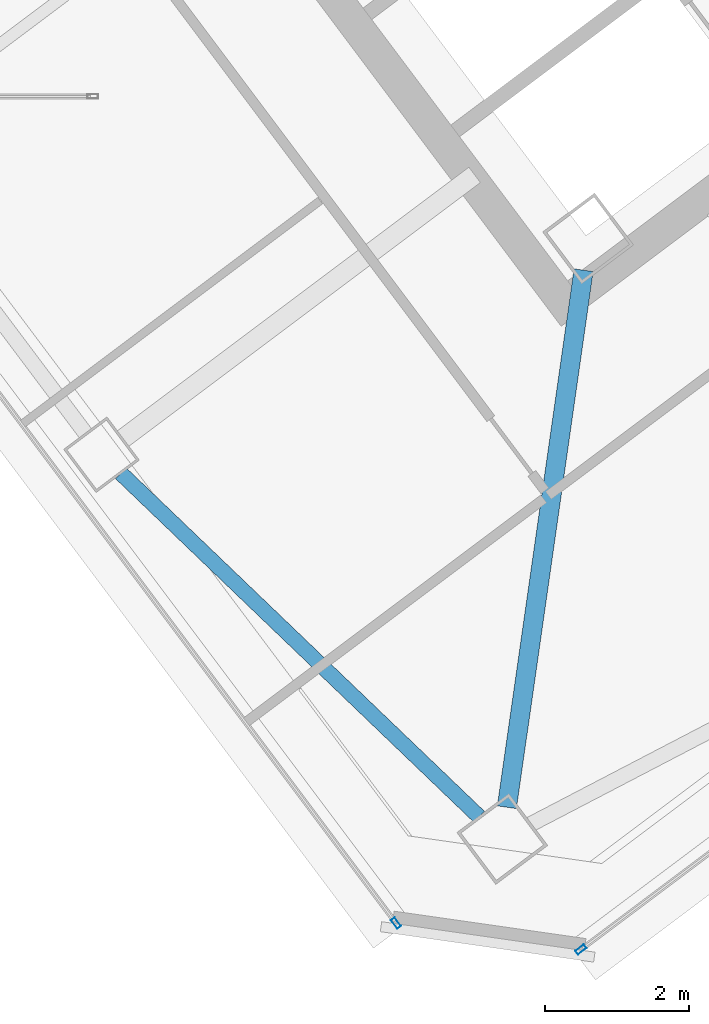
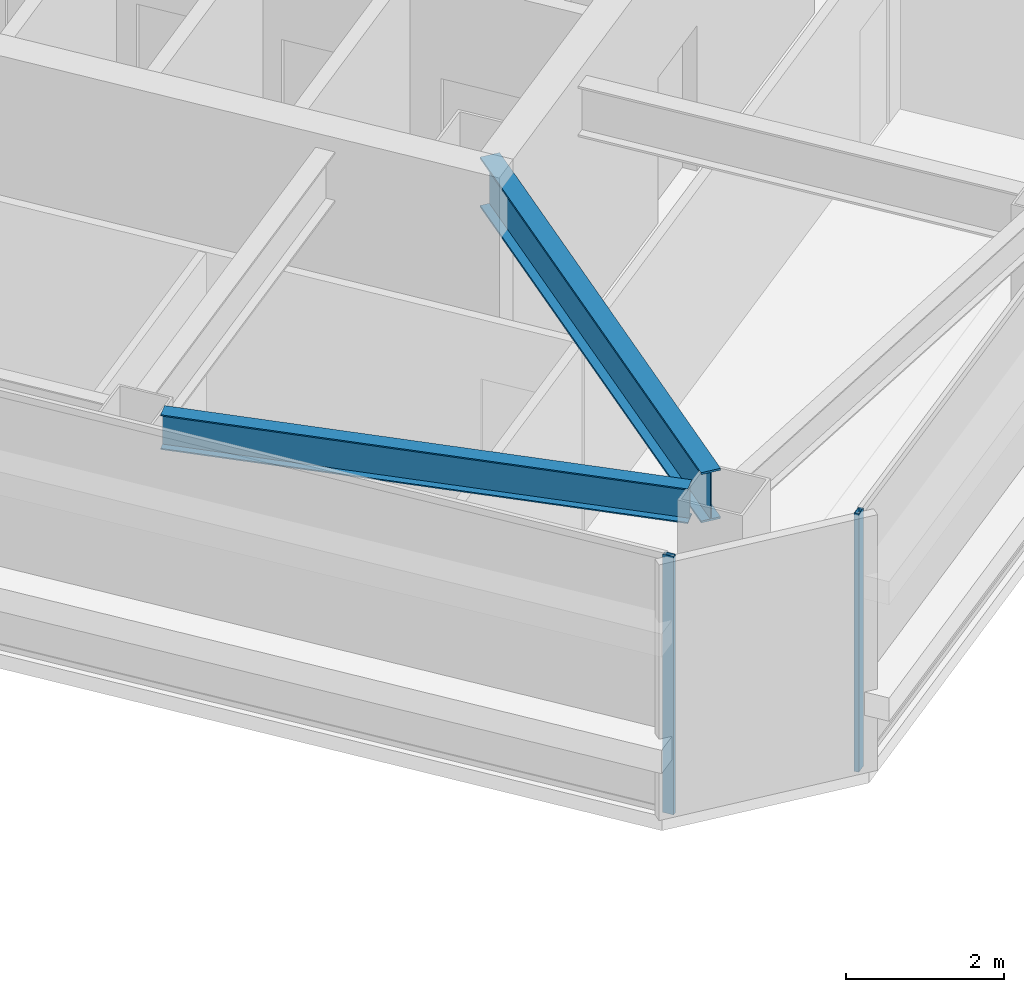
# One storey, part 30 of 53: 2 beams, 2 members, 2 elements without a shape of their own.
"""IFC4 building model written with IfcOpenShell, lengths in metres."""

from ifc_helpers import new_model, si_unit, direction, frame, origin, origin_2d, place, context, subcontext, project, spatial, hollow_rectangle, i_section, extrude, material, material_profile, profile_set, type_object, element, aggregate, save


model = new_model("IFC4")

# Units and contexts
model_context = context("Model", 3, precision=1e-05, world=origin(), true_north=direction((0.0, 1.0)))
body_context = subcontext(model_context, "Body", "Model", "MODEL_VIEW")
ifc_project = project(units=[si_unit("LENGTHUNIT", "METRE"), si_unit("AREAUNIT", "SQUARE_METRE"), si_unit("VOLUMEUNIT", "CUBIC_METRE"), si_unit("PLANEANGLEUNIT", "RADIAN"), si_unit("MASSUNIT", "GRAM", prefix="KILO")], contexts=[model_context])

# Site, building, storey
site_placement = place(None, origin())
site = spatial("IfcSite", under=ifc_project, at=site_placement, CompositionType="ELEMENT")
building_placement = place(site_placement, origin())
building = spatial("IfcBuilding", under=site, at=building_placement, Name="Tashvorn Skyway Center", CompositionType="ELEMENT")
storey_placement = place(building_placement, frame((0.0, 0.0, 255.39990234375)))
storey = spatial("IfcBuildingStorey", under=building, at=storey_placement, Name="L69", CompositionType="ELEMENT", Elevation=255.39990234375)

# Beams
ifc_material_1 = material(Name="Steel ASTM A992 Grade 50", Category="steel")
ifc_material_profile_1 = material_profile(ifc_material_1, i_section(OverallWidth=0.26708984375, OverallDepth=0.779052734375, WebThickness=0.0166015625, FlangeThickness=0.030029296875, at=origin_2d()), Name="W30X148")
ifc_profile_set_1 = profile_set([ifc_material_profile_1], Name="Steel ASTM A992 Grade 50")
beam_type_1 = type_object("IfcBeamType", Name="BM-BEAM-W30X148", PredefinedType="BEAM", material=ifc_profile_set_1)
beam_1_placement = place(storey_placement, frame((111.462890625, 14.240478515625, 3.390625), z_axis=(0.141430441004, 0.989948195795, 0.0), x_axis=(-0.989948195795, 0.141430441004, 0.0)))
element("IfcBeam", 1, at=beam_1_placement, inside=storey, type_object=beam_type_1, Name="Tower 2 L69 Primary Floor Girder MC-SW", PredefinedType="BEAM", context=body_context, shape_type="SweptSolid", body=[
    extrude(i_section(OverallWidth=0.26708984375, OverallDepth=0.779052734375, WebThickness=0.0166015625, FlangeThickness=0.030029296875, at=origin_2d()), origin(), (0.0, 0.0, 1.0), 7.524658203125),
])
ifc_material_profile_2 = material_profile(ifc_material_1, i_section(OverallWidth=0.2109375, OverallDepth=0.5390625, WebThickness=0.01171875, FlangeThickness=0.018798828125, at=origin_2d()), Name="W21X73")
ifc_profile_set_2 = profile_set([ifc_material_profile_2], Name="Steel ASTM A992 Grade 50")
beam_type_2 = type_object("IfcBeamType", Name="BM-SPANDREL-W21X73", PredefinedType="SPANDREL", material=ifc_profile_set_2)
beam_2_placement = place(storey_placement, frame((106.107177734375, 18.8740234375, 3.510498046875), z_axis=(0.721873091786, -0.692025461493, 0.0), x_axis=(0.692025461493, 0.721873091786, 0.0)))
element("IfcBeam", 2, at=beam_2_placement, inside=storey, type_object=beam_type_2, Name="Tower 2 L69 Spandrel Beam 12", PredefinedType="SPANDREL", context=body_context, shape_type="SweptSolid", body=[
    extrude(i_section(OverallWidth=0.2109375, OverallDepth=0.5390625, WebThickness=0.01171875, FlangeThickness=0.018798828125, at=origin_2d()), origin(), (0.0, 0.0, 1.0), 6.88720703125),
])

# Curtain wall, member
ifc_material_2 = material(Name="Thermally broken bronze-anodized aluminium 6063-T6", Category="aluminium")
curtain_wall_type = type_object("IfcCurtainWallType", Name="CW-CW-SKY", PredefinedType="NOTDEFINED", material=ifc_material_2)
curtain_wall_1_placement = place(storey_placement, origin())
curtain_wall_1 = element("IfcCurtainWall", 3, at=curtain_wall_1_placement, inside=storey, type_object=curtain_wall_type, Name="Tower 2 L69 South Unitised Curtain Wall", PredefinedType="NOTDEFINED")
ifc_material_profile_3 = material_profile(ifc_material_2, hollow_rectangle(XDim=0.06494140625, YDim=0.14990234375, WallThickness=0.00390625, at=origin_2d()), Name="ALU-MULL-65x150")
ifc_profile_set_3 = profile_set([ifc_material_profile_3], Name="Thermally broken bronze-anodized aluminium 6063-T6")
member_type = type_object("IfcMemberType", Name="CWM-CW-SKY", PredefinedType="MULLION", material=ifc_profile_set_3)
member_1_placement = place(storey_placement, frame((112.489990234375, 12.267578125, 0.0), z_axis=(0.0, 0.0, 1.0), x_axis=(0.600000000002, -0.799999999998, 0.0)))
member_1 = element("IfcMember", 4, at=member_1_placement, type_object=member_type, Name="CW-SKY mullion 4", PredefinedType="MULLION", context=body_context, shape_type="SweptSolid", body=[
    extrude(hollow_rectangle(XDim=0.06494140625, YDim=0.14990234375, WallThickness=0.00390625, at=origin_2d()), origin(), (0.0, 0.0, 1.0), 4.0),
])
aggregate(curtain_wall_1, [member_1])

curtain_wall_2_placement = place(storey_placement, origin())
curtain_wall_2 = element("IfcCurtainWall", 5, at=curtain_wall_2_placement, inside=storey, type_object=curtain_wall_type, Name="Tower 2 L69 West Curtain Wall A", PredefinedType="NOTDEFINED")
member_2_placement = place(storey_placement, frame((109.924560546875, 12.634033203125, 0.0), z_axis=(0.0, 0.0, 1.0), x_axis=(-0.799999999998, -0.600000000002, 0.0)))
member_2 = element("IfcMember", 6, at=member_2_placement, type_object=member_type, Name="CW-SKY mullion 1", PredefinedType="MULLION", context=body_context, shape_type="SweptSolid", body=[
    extrude(hollow_rectangle(XDim=0.06494140625, YDim=0.14990234375, WallThickness=0.00390625, at=origin_2d()), origin(), (0.0, 0.0, 1.0), 4.0),
])
aggregate(curtain_wall_2, [member_2])

save(model, "model.ifc")
